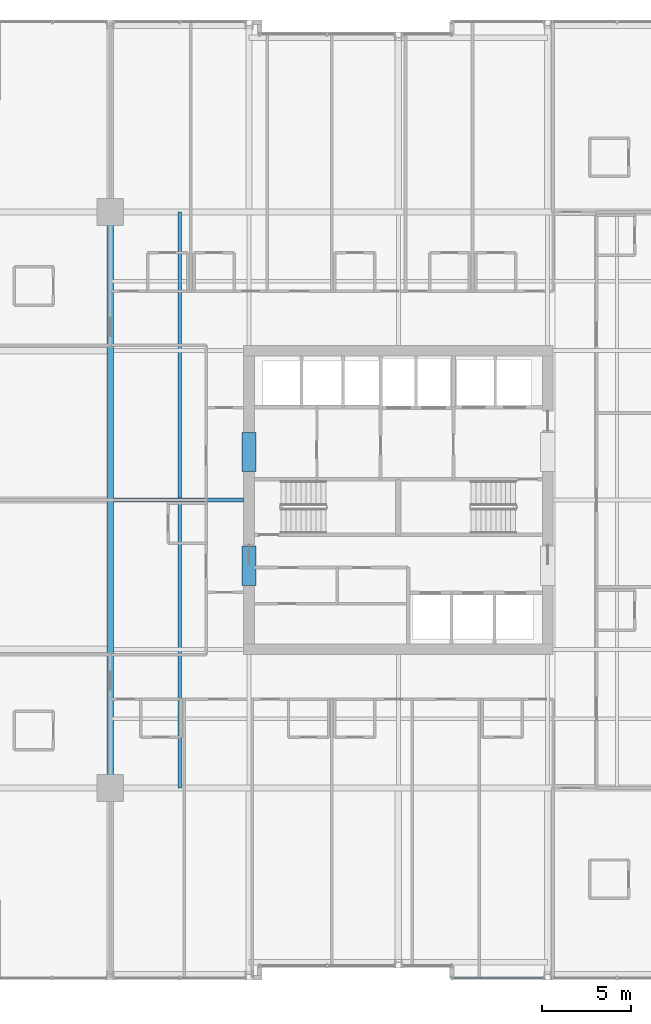
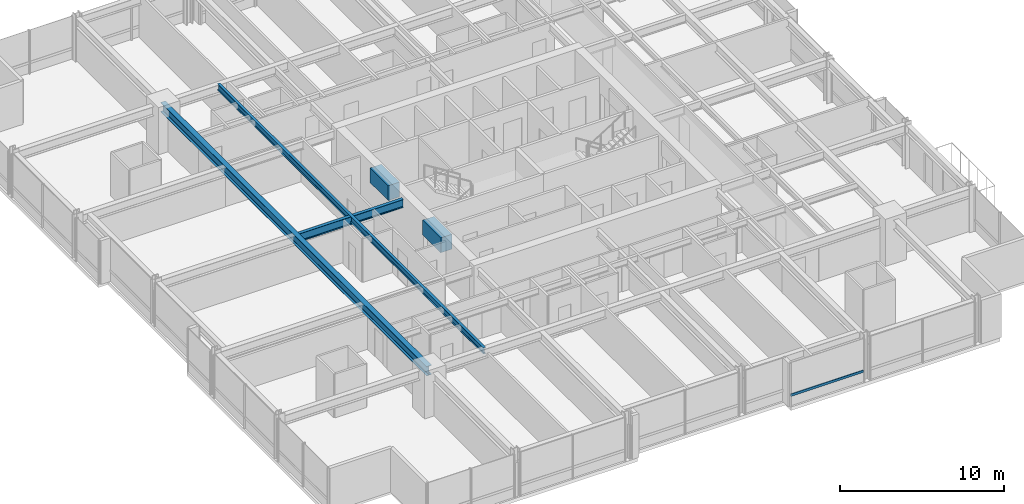
# One storey, part 10 of 34: 5 beams, 1 member, 1 element without a shape of its own.
"""IFC4 building model written with IfcOpenShell, lengths in metres."""

from ifc_helpers import new_model, si_unit, direction, frame, origin, origin_2d, place, context, subcontext, project, spatial, rectangle, hollow_rectangle, i_section, extrude, material, layer, layer_set, material_profile, profile_set, type_object, element, aggregate, save


model = new_model("IFC4")

# Units and contexts
model_context = context("Model", 3, precision=1e-05, world=origin(), true_north=direction((0.0, 1.0)))
body_context = subcontext(model_context, "Body", "Model", "MODEL_VIEW")
ifc_project = project(units=[si_unit("LENGTHUNIT", "METRE"), si_unit("AREAUNIT", "SQUARE_METRE"), si_unit("VOLUMEUNIT", "CUBIC_METRE"), si_unit("PLANEANGLEUNIT", "RADIAN"), si_unit("MASSUNIT", "GRAM", prefix="KILO")], contexts=[model_context])

# Site, building, storey
site_placement = place(None, origin())
site = spatial("IfcSite", under=ifc_project, at=site_placement, CompositionType="ELEMENT")
building_placement = place(site_placement, origin())
building = spatial("IfcBuilding", under=site, at=building_placement, Name="Drelvath Grand Hotel", CompositionType="ELEMENT")
storey_placement = place(building_placement, frame((0.0, 0.0, 133.800048828125)))
storey = spatial("IfcBuildingStorey", under=building, at=storey_placement, Name="L34", CompositionType="ELEMENT", Elevation=133.800048828125)

# Beams
ifc_material_1 = material(Name="Steel ASTM A992 Gr 50", Category="steel")
ifc_material_profile_1 = material_profile(ifc_material_1, i_section(OverallWidth=0.19140625, OverallDepth=0.4599609375, WebThickness=0.010009765625, FlangeThickness=0.01611328125, FilletRadius=0.01611328125, at=origin_2d()), Name="W18X55")
ifc_profile_set_1 = profile_set([ifc_material_profile_1], Name="Steel ASTM A992 Gr 50")
beam_type_1 = type_object("IfcBeamType", Name="Composite Floor Joist W18X55", PredefinedType="JOIST", material=ifc_profile_set_1)
beam_1_placement = place(storey_placement, frame((-12.300048828125, 10.800048828125, 3.010009765625), z_axis=(0.0, 1.0, 0.0), x_axis=(-1.0, 0.0, 0.0)))
element("IfcBeam", 1, at=beam_1_placement, inside=storey, type_object=beam_type_1, Name="L34 Wing Floor Joist J3", PredefinedType="JOIST", context=body_context, shape_type="SweptSolid", body=[
    extrude(i_section(OverallWidth=0.19140625, OverallDepth=0.4599609375, WebThickness=0.010009765625, FlangeThickness=0.01611328125, FilletRadius=0.01611328125, at=origin_2d()), origin(), (0.0, 0.0, 1.0), 32.39990234375),
])
ifc_material_2 = material(Name="Concrete f'c 70 MPa", Category="concrete")
ifc_material_profile_2 = material_profile(ifc_material_2, rectangle(XDim=0.800048828125, YDim=1.10009765625, at=origin_2d()), Name="CB800X1100")
ifc_profile_set_2 = profile_set([ifc_material_profile_2], Name="Concrete f'c 70 MPa")
beam_type_2 = type_object("IfcBeamType", Name="Core Coupling Lintel CB800X1100", PredefinedType="LINTEL", material=ifc_profile_set_2)
for number, where, z_axis, x_axis, name in (
    (2, (-8.39990234375, 22.199951171875, 2.68994140625), (0.0, 1.0, 0.0), (-1.0, 0.0, 0.0), "L34 Core Coupling Lintel WS"),
    (3, (-8.39990234375, 28.60009765625, 2.68994140625), (0.0, 1.0, 0.0), (-1.0, 0.0, 0.0), "L34 Core Coupling Lintel WN"),
):
    element("IfcBeam", number, at=place(storey_placement, frame(where, z_axis=z_axis, x_axis=x_axis)), inside=storey, type_object=beam_type_2, Name=name, PredefinedType="LINTEL", context=body_context, shape_type="SweptSolid", body=[
        extrude(rectangle(XDim=0.800048828125, YDim=1.10009765625, at=origin_2d()), origin(), (0.0, 0.0, 1.0), 2.199951171875),
    ])

# Curtain wall, member
ifc_material_3 = material(Name="Champagne Bronze Anodised Aluminium Frame", Category="aluminium")
ifc_layer = layer(ifc_material_3, 0.199951171875)
ifc_layer_set = layer_set([ifc_layer], Name="Champagne Bronze Anodised Aluminium Frame")
curtain_wall_type = type_object("IfcCurtainWallType", Name="Stick Curtain Wall CW-03 Champagne Bronze Mid-Rise", PredefinedType="NOTDEFINED", material=ifc_layer_set)
curtain_wall_placement = place(storey_placement, origin())
curtain_wall = element("IfcCurtainWall", 4, at=curtain_wall_placement, inside=storey, type_object=curtain_wall_type, Name="L34 CW-03 Curtain Wall CW03-L34-SE1", PredefinedType="NOTDEFINED")
ifc_material_profile_3 = material_profile(ifc_material_3, hollow_rectangle(XDim=0.074951171875, YDim=0.179931640625, WallThickness=0.0048828125, at=origin_2d()), Name="HSS180X75X5")
ifc_profile_set_3 = profile_set([ifc_material_profile_3], Name="Champagne Bronze Anodised Aluminium Frame")
member_type = type_object("IfcMemberType", Name="Curtain Wall Horizontal Transom CW-03 HSS180X75X5", PredefinedType="USERDEFINED", material=ifc_profile_set_3)
member_placement = place(storey_placement, frame((8.150634765625, 0.1201171875, 0.81005859375), z_axis=(-1.0, 0.0, 0.0), x_axis=(0.0, -1.0, 0.0)))
member = element("IfcMember", 5, at=member_placement, type_object=member_type, Name="CW03-L34-SE1 Sill Transom", ObjectType="TRANSOM", PredefinedType="USERDEFINED", context=body_context, shape_type="SweptSolid", body=[
    extrude(hollow_rectangle(XDim=0.074951171875, YDim=0.179931640625, WallThickness=0.0048828125, at=origin_2d()), origin(), (0.0, 0.0, 1.0), 5.110595703125),
])
aggregate(curtain_wall, [member])

# Beams
ifc_material_profile_4 = material_profile(ifc_material_1, i_section(OverallWidth=0.228271484375, OverallDepth=0.607666015625, WebThickness=0.01123046875, FlangeThickness=0.017333984375, FilletRadius=0.02001953125, at=origin_2d()), Name="W24X76")
ifc_profile_set_4 = profile_set([ifc_material_profile_4], Name="Steel ASTM A992 Gr 50")
beam_type_3 = type_object("IfcBeamType", Name="Primary Floor Girder W24X76", PredefinedType="BEAM", material=ifc_profile_set_4)
beam_2_placement = place(storey_placement, frame((-16.022705078125, 27.0, 2.93603515625), z_axis=(1.0, 0.0, 0.0), x_axis=(0.0, 1.0, 0.0)))
element("IfcBeam", 6, at=beam_2_placement, inside=storey, type_object=beam_type_3, Name="L34 West Core Tie E", PredefinedType="BEAM", context=body_context, shape_type="SweptSolid", body=[
    extrude(i_section(OverallWidth=0.228271484375, OverallDepth=0.607666015625, WebThickness=0.01123046875, FlangeThickness=0.017333984375, FilletRadius=0.02001953125, at=origin_2d()), origin(), (0.0, 0.0, 1.0), 7.32275390625),
])
ifc_material_profile_5 = material_profile(ifc_material_1, i_section(OverallWidth=0.354736328125, OverallDepth=0.695556640625, WebThickness=0.015380859375, FlangeThickness=0.025146484375, FilletRadius=0.02392578125, at=origin_2d()), Name="W27X146")
ifc_profile_set_5 = profile_set([ifc_material_profile_5], Name="Steel ASTM A992 Gr 50")
beam_type_4 = type_object("IfcBeamType", Name="Primary Floor Girder W27X146", PredefinedType="BEAM", material=ifc_profile_set_5)
beam_3_placement = place(storey_placement, frame((-16.199951171875, 10.800048828125, 2.892333984375), z_axis=(0.0, 1.0, 0.0), x_axis=(-1.0, 0.0, 0.0)))
element("IfcBeam", 7, at=beam_3_placement, inside=storey, type_object=beam_type_4, Name="L34 Mega Ring Girder West", PredefinedType="BEAM", context=body_context, shape_type="SweptSolid", body=[
    extrude(i_section(OverallWidth=0.354736328125, OverallDepth=0.695556640625, WebThickness=0.015380859375, FlangeThickness=0.025146484375, FilletRadius=0.02392578125, at=origin_2d()), origin(), (0.0, 0.0, 1.0), 32.39990234375),
])

save(model, "model.ifc")
